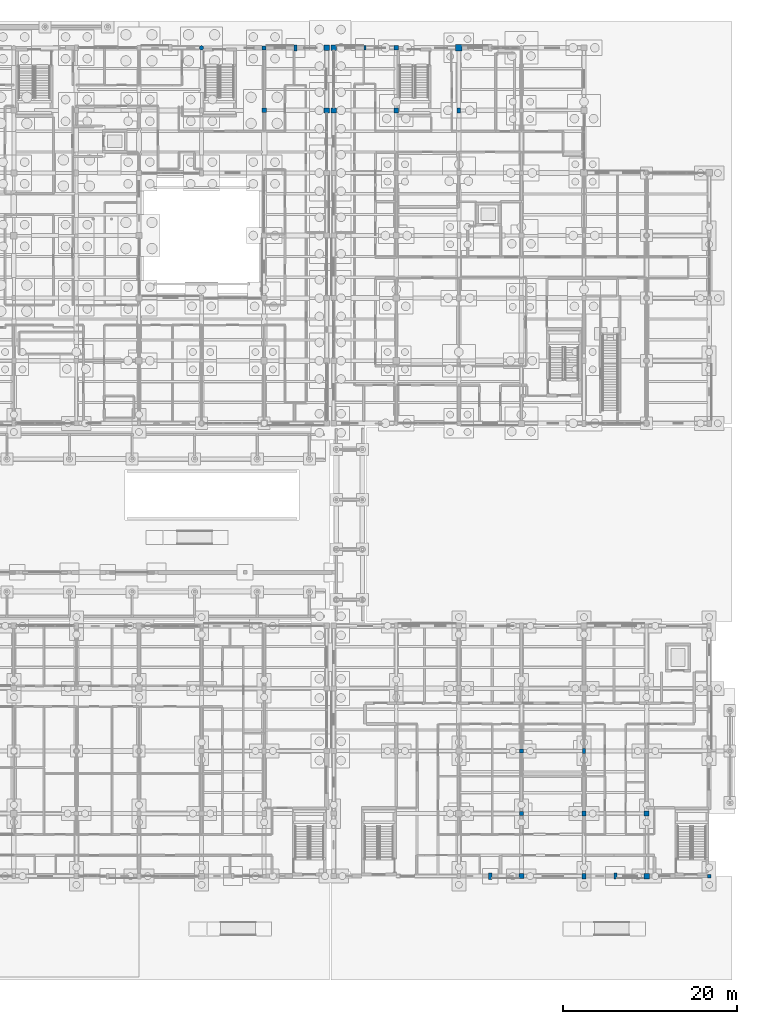
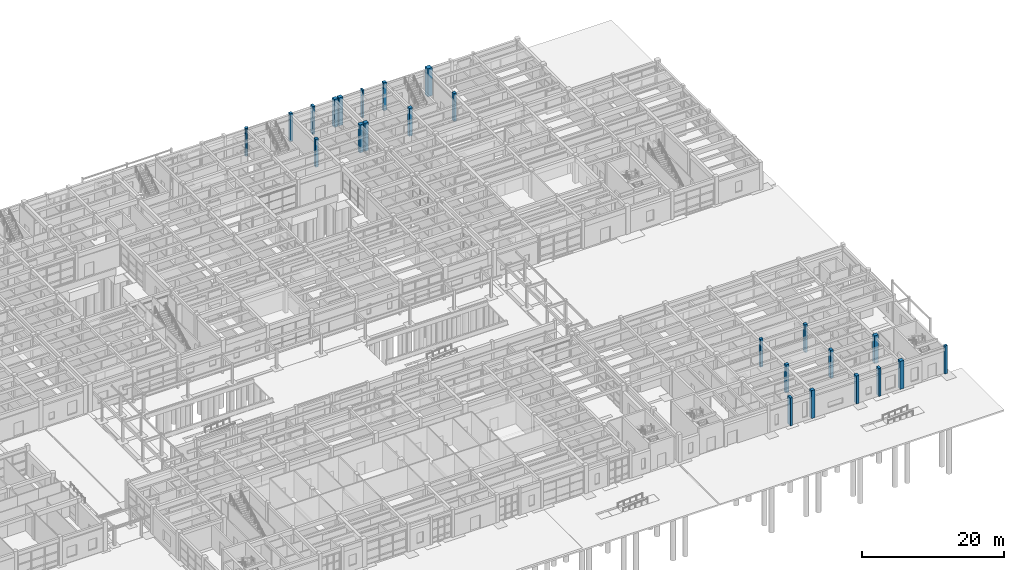
# One storey, part 28 of 143: 24 columns.
"""IFC4 building model written with IfcOpenShell, lengths in metres."""

from ifc_helpers import new_model, si_unit, direction, frame, origin, origin_2d, place, context, subcontext, project, spatial, rectangle, circle, extrude, material, material_profile, profile_set, type_object, element, save


model = new_model("IFC4")

# Units and contexts
model_context = context("Model", 3, precision=1e-05, world=origin(), true_north=direction((0.0, 1.0)))
body_context = subcontext(model_context, "Body", "Model", "MODEL_VIEW")
ifc_project = project(units=[si_unit("LENGTHUNIT", "METRE"), si_unit("AREAUNIT", "SQUARE_METRE"), si_unit("VOLUMEUNIT", "CUBIC_METRE"), si_unit("PLANEANGLEUNIT", "RADIAN"), si_unit("MASSUNIT", "GRAM", prefix="KILO")], contexts=[model_context])

# Site, building, storey
site_placement = place(None, origin())
site = spatial("IfcSite", under=ifc_project, at=site_placement, CompositionType="ELEMENT")
building_placement = place(site_placement, origin())
building = spatial("IfcBuilding", under=site, at=building_placement, Name="Steenspoor Specialist Clinic", CompositionType="ELEMENT")
storey_placement = place(building_placement, origin())
storey = spatial("IfcBuildingStorey", under=building, at=storey_placement, Name="L00", CompositionType="ELEMENT", Elevation=0.0)

# Columns
ifc_material = material(Name="Concrete C40/50", Category="concrete")
ifc_material_profile_1 = material_profile(ifc_material, rectangle(XDim=0.39990234375, YDim=0.39990234375, at=origin_2d()), Name="RC-COL-400X400")
ifc_profile_set_1 = profile_set([ifc_material_profile_1], Name="Concrete C40/50")
column_type_1 = type_object("IfcColumnType", Name="COL-RC-400", PredefinedType="COLUMN", material=ifc_profile_set_1)
column_1_placement = place(storey_placement, frame((161.199951171875, 13.050048828125, 0.0), z_axis=(0.0, 0.0, 1.0), x_axis=(1.0, 0.0, 0.0)))
element("IfcColumn", 1, at=column_1_placement, inside=storey, type_object=column_type_1, Name="Column COL-L00-0834", PredefinedType="COLUMN", context=body_context, shape_type="SweptSolid", body=[
    extrude(rectangle(XDim=0.39990234375, YDim=0.39990234375, at=origin_2d()), origin(), (0.0, 0.0, 1.0), 4.800048828125),
])
ifc_material_profile_2 = material_profile(ifc_material, rectangle(XDim=0.39990234375, YDim=0.550048828125, at=origin_2d()), Name="RC-COL-400X550")
ifc_profile_set_2 = profile_set([ifc_material_profile_2], Name="Concrete C40/50")
column_type_2 = type_object("IfcColumnType", Name="COL-RC-400X550", PredefinedType="COLUMN", material=ifc_profile_set_2)
for number, where, z_axis, x_axis, name in (
    (2, (146.800048828125, 27.449951171875, 0.0), (0.0, 0.0, 1.0), (1.0, 0.0, 0.0), "Column COL-L00-0138"),
    (3, (132.39990234375, 101.14990234375, 0.0), (0.0, 0.0, 1.0), (1.0, 0.0, 0.0), "Column COL-L00-0735"),
):
    element("IfcColumn", number, at=place(storey_placement, frame(where, z_axis=z_axis, x_axis=x_axis)), inside=storey, type_object=column_type_2, Name=name, PredefinedType="COLUMN", context=body_context, shape_type="SweptSolid", body=[
        extrude(rectangle(XDim=0.39990234375, YDim=0.550048828125, at=origin_2d()), origin(), (0.0, 0.0, 1.0), 4.800048828125),
    ])
ifc_material_profile_3 = material_profile(ifc_material, rectangle(XDim=0.449951171875, YDim=0.449951171875, at=origin_2d()), Name="RC-COL-450X450")
ifc_profile_set_3 = profile_set([ifc_material_profile_3], Name="Concrete C40/50")
column_type_3 = type_object("IfcColumnType", Name="COL-RC-450", PredefinedType="COLUMN", material=ifc_profile_set_3)
for number, where, z_axis, x_axis, name in (
    (4, (139.60009765625, 27.449951171875, 0.0), (0.0, 0.0, 1.0), (1.0, 0.0, 0.0), "Column COL-L00-0128"),
    (5, (110.0, 108.35009765625, 0.0), (0.0, 0.0, 1.0), (1.0, 0.0, 0.0), "Column COL-L00-0473"),
):
    element("IfcColumn", number, at=place(storey_placement, frame(where, z_axis=z_axis, x_axis=x_axis)), inside=storey, type_object=column_type_3, Name=name, PredefinedType="COLUMN", context=body_context, shape_type="SweptSolid", body=[
        extrude(rectangle(XDim=0.449951171875, YDim=0.449951171875, at=origin_2d()), origin(), (0.0, 0.0, 1.0), 4.800048828125),
    ])
ifc_material_profile_4 = material_profile(ifc_material, rectangle(XDim=0.449951171875, YDim=0.60009765625, at=origin_2d()), Name="RC-COL-450X600")
ifc_profile_set_4 = profile_set([ifc_material_profile_4], Name="Concrete C40/50")
column_type_4 = type_object("IfcColumnType", Name="COL-RC-450X600", PredefinedType="COLUMN", material=ifc_profile_set_4)
column_2_placement = place(storey_placement, frame((146.800048828125, 20.25, 0.0), z_axis=(0.0, 0.0, 1.0), x_axis=(1.0, 0.0, 0.0)))
element("IfcColumn", 6, at=column_2_placement, inside=storey, type_object=column_type_4, Name="Column COL-L00-0136", PredefinedType="COLUMN", context=body_context, shape_type="SweptSolid", body=[
    extrude(rectangle(XDim=0.449951171875, YDim=0.60009765625, at=origin_2d()), origin(), (0.0, 0.0, 1.0), 4.800048828125),
])
ifc_material_profile_5 = material_profile(ifc_material, rectangle(XDim=0.449951171875, YDim=0.64990234375, at=origin_2d()), Name="RC-COL-450X650")
ifc_profile_set_5 = profile_set([ifc_material_profile_5], Name="Concrete C40/50")
column_type_5 = type_object("IfcColumnType", Name="COL-RC-450X650", PredefinedType="COLUMN", material=ifc_profile_set_5)
column_3_placement = place(storey_placement, frame((146.800048828125, 13.050048828125, 0.0), z_axis=(0.0, 0.0, 1.0), x_axis=(1.0, 0.0, 0.0)))
element("IfcColumn", 7, at=column_3_placement, inside=storey, type_object=column_type_5, Name="Column COL-L00-0134", PredefinedType="COLUMN", context=body_context, shape_type="SweptSolid", body=[
    extrude(rectangle(XDim=0.449951171875, YDim=0.64990234375, at=origin_2d()), origin(), (0.0, 0.0, 1.0), 4.800048828125),
])
ifc_material_profile_6 = material_profile(ifc_material, rectangle(XDim=0.5, YDim=0.5, at=origin_2d()), Name="RC-COL-500X500")
ifc_profile_set_6 = profile_set([ifc_material_profile_6], Name="Concrete C40/50")
column_type_6 = type_object("IfcColumnType", Name="COL-RC-500", PredefinedType="COLUMN", material=ifc_profile_set_6)
for number, where, z_axis, x_axis, name in (
    (8, (139.60009765625, 20.25, 0.0), (0.0, 0.0, 1.0), (1.0, 0.0, 0.0), "Column COL-L00-0126"),
    (9, (110.0, 101.14990234375, 0.0), (0.0, 0.0, 1.0), (1.0, 0.0, 0.0), "Column COL-L00-0467"),
    (10, (125.199951171875, 108.35009765625, 0.0), (0.0, 0.0, 1.0), (1.0, 0.0, 0.0), "Column COL-L00-0706"),
):
    element("IfcColumn", number, at=place(storey_placement, frame(where, z_axis=z_axis, x_axis=x_axis)), inside=storey, type_object=column_type_6, Name=name, PredefinedType="COLUMN", context=body_context, shape_type="SweptSolid", body=[
        extrude(rectangle(XDim=0.5, YDim=0.5, at=origin_2d()), origin(), (0.0, 0.0, 1.0), 4.800048828125),
    ])
ifc_material_profile_7 = material_profile(ifc_material, rectangle(XDim=0.550048828125, YDim=0.550048828125, at=origin_2d()), Name="RC-COL-550X550")
ifc_profile_set_7 = profile_set([ifc_material_profile_7], Name="Concrete C40/50")
column_type_7 = type_object("IfcColumnType", Name="COL-RC-550", PredefinedType="COLUMN", material=ifc_profile_set_7)
for number, where, z_axis, x_axis, name in (
    (11, (139.60009765625, 13.050048828125, 0.0), (0.0, 0.0, 1.0), (1.0, 0.0, 0.0), "Column COL-L00-0124"),
    (12, (125.199951171875, 101.14990234375, 0.0), (0.0, 0.0, 1.0), (1.0, 0.0, 0.0), "Column COL-L00-0701"),
):
    element("IfcColumn", number, at=place(storey_placement, frame(where, z_axis=z_axis, x_axis=x_axis)), inside=storey, type_object=column_type_7, Name=name, PredefinedType="COLUMN", context=body_context, shape_type="SweptSolid", body=[
        extrude(rectangle(XDim=0.550048828125, YDim=0.550048828125, at=origin_2d()), origin(), (0.0, 0.0, 1.0), 4.800048828125),
    ])
ifc_material_profile_8 = material_profile(ifc_material, rectangle(XDim=0.60009765625, YDim=0.60009765625, at=origin_2d()), Name="RC-COL-600X600")
ifc_profile_set_8 = profile_set([ifc_material_profile_8], Name="Concrete C40/50")
column_type_8 = type_object("IfcColumnType", Name="COL-RC-600", PredefinedType="COLUMN", material=ifc_profile_set_8)
for number, where, z_axis, x_axis, name in (
    (13, (154.0, 20.25, 0.0), (0.0, 0.0, 1.0), (1.0, 0.0, 0.0), "Column COL-L00-0146"),
    (14, (117.199951171875, 101.14990234375, 0.0), (0.0, 0.0, 1.0), (1.0, 0.0, 0.0), "Column COL-L00-0498"),
    (15, (117.199951171875, 108.35009765625, 0.0), (0.0, 0.0, 1.0), (1.0, 0.0, 0.0), "Column COL-L00-0502"),
    (16, (118.0, 101.14990234375, 0.0), (0.0, 0.0, 1.0), (1.0, 0.0, 0.0), "Column COL-L00-0667"),
    (17, (118.0, 108.35009765625, 0.0), (0.0, 0.0, 1.0), (1.0, 0.0, 0.0), "Column COL-L00-0672"),
):
    element("IfcColumn", number, at=place(storey_placement, frame(where, z_axis=z_axis, x_axis=x_axis)), inside=storey, type_object=column_type_8, Name=name, PredefinedType="COLUMN", context=body_context, shape_type="SweptSolid", body=[
        extrude(rectangle(XDim=0.60009765625, YDim=0.60009765625, at=origin_2d()), origin(), (0.0, 0.0, 1.0), 4.800048828125),
    ])
ifc_material_profile_9 = material_profile(ifc_material, rectangle(XDim=0.64990234375, YDim=0.64990234375, at=origin_2d()), Name="RC-COL-650X650")
ifc_profile_set_9 = profile_set([ifc_material_profile_9], Name="Concrete C40/50")
column_type_9 = type_object("IfcColumnType", Name="COL-RC-650", PredefinedType="COLUMN", material=ifc_profile_set_9)
column_4_placement = place(storey_placement, frame((154.0, 13.050048828125, 0.0), z_axis=(0.0, 0.0, 1.0), x_axis=(1.0, 0.0, 0.0)))
element("IfcColumn", 18, at=column_4_placement, inside=storey, type_object=column_type_9, Name="Column COL-L00-0144", PredefinedType="COLUMN", context=body_context, shape_type="SweptSolid", body=[
    extrude(rectangle(XDim=0.64990234375, YDim=0.64990234375, at=origin_2d()), origin(), (0.0, 0.0, 1.0), 4.800048828125),
])
ifc_material_profile_10 = material_profile(ifc_material, rectangle(XDim=0.75, YDim=0.75, at=origin_2d()), Name="RC-COL-750X750")
ifc_profile_set_10 = profile_set([ifc_material_profile_10], Name="Concrete C40/50")
column_type_10 = type_object("IfcColumnType", Name="COL-RC-750", PredefinedType="COLUMN", material=ifc_profile_set_10)
column_5_placement = place(storey_placement, frame((132.39990234375, 108.35009765625, 0.0), z_axis=(0.0, 0.0, 1.0), x_axis=(1.0, 0.0, 0.0)))
element("IfcColumn", 19, at=column_5_placement, inside=storey, type_object=column_type_10, Name="Column COL-L00-0740", PredefinedType="COLUMN", context=body_context, shape_type="SweptSolid", body=[
    extrude(rectangle(XDim=0.75, YDim=0.75, at=origin_2d()), origin(), (0.0, 0.0, 1.0), 4.800048828125),
])
ifc_material_profile_11 = material_profile(ifc_material, circle(Radius=0.25, at=origin_2d()), Name="RC-COL-D500")
ifc_profile_set_11 = profile_set([ifc_material_profile_11], Name="Concrete C40/50")
column_type_11 = type_object("IfcColumnType", Name="COL-RC-D500", PredefinedType="COLUMN", material=ifc_profile_set_11)
column_6_placement = place(storey_placement, frame((102.800048828125, 108.35009765625, 0.0), z_axis=(0.0, 0.0, 1.0), x_axis=(1.0, 0.0, 0.0)))
element("IfcColumn", 20, at=column_6_placement, inside=storey, type_object=column_type_11, Name="Column COL-L00-0440", PredefinedType="COLUMN", context=body_context, shape_type="SweptSolid", body=[
    extrude(circle(Radius=0.25, at=origin_2d()), origin(), (0.0, 0.0, 1.0), 4.800048828125),
])
ifc_material_profile_12 = material_profile(ifc_material, rectangle(XDim=0.280029296875, YDim=0.56005859375, at=origin_2d()), Name="RC-PIL-280X560")
ifc_profile_set_12 = profile_set([ifc_material_profile_12], Name="Concrete C40/50")
column_type_12 = type_object("IfcColumnType", Name="PIL-RC-280X560", PredefinedType="PILASTER", material=ifc_profile_set_12)
column_7_placement = place(storey_placement, frame((121.60009765625, 108.35009765625, 0.0), z_axis=(0.0, 0.0, 1.0), x_axis=(1.0, 0.0, 0.0)))
element("IfcColumn", 21, at=column_7_placement, inside=storey, type_object=column_type_12, Name="Brick Pilaster PIL-L00-037", PredefinedType="PILASTER", context=body_context, shape_type="SweptSolid", body=[
    extrude(rectangle(XDim=0.280029296875, YDim=0.56005859375, at=origin_2d()), origin(), (0.0, 0.0, 1.0), 4.800048828125),
])
ifc_material_profile_13 = material_profile(ifc_material, rectangle(XDim=0.340087890625, YDim=0.679931640625, at=origin_2d()), Name="RC-PIL-340X680")
ifc_profile_set_13 = profile_set([ifc_material_profile_13], Name="Concrete C40/50")
column_type_13 = type_object("IfcColumnType", Name="PIL-RC-340X680", PredefinedType="PILASTER", material=ifc_profile_set_13)
for number, where, z_axis, x_axis, name in (
    (22, (150.39990234375, 13.050048828125, 0.0), (0.0, 0.0, 1.0), (1.0, 0.0, 0.0), "Brick Pilaster PIL-L00-011"),
    (23, (113.60009765625, 108.35009765625, 0.0), (0.0, 0.0, 1.0), (1.0, 0.0, 0.0), "Brick Pilaster PIL-L00-029"),
):
    element("IfcColumn", number, at=place(storey_placement, frame(where, z_axis=z_axis, x_axis=x_axis)), inside=storey, type_object=column_type_13, Name=name, PredefinedType="PILASTER", context=body_context, shape_type="SweptSolid", body=[
        extrude(rectangle(XDim=0.340087890625, YDim=0.679931640625, at=origin_2d()), origin(), (0.0, 0.0, 1.0), 4.800048828125),
    ])
ifc_material_profile_14 = material_profile(ifc_material, rectangle(XDim=0.3798828125, YDim=0.760009765625, at=origin_2d()), Name="RC-PIL-380X760")
ifc_profile_set_14 = profile_set([ifc_material_profile_14], Name="Concrete C40/50")
column_type_14 = type_object("IfcColumnType", Name="PIL-RC-380X760", PredefinedType="PILASTER", material=ifc_profile_set_14)
column_8_placement = place(storey_placement, frame((136.0, 13.050048828125, 0.0), z_axis=(0.0, 0.0, 1.0), x_axis=(1.0, 0.0, 0.0)))
element("IfcColumn", 24, at=column_8_placement, inside=storey, type_object=column_type_14, Name="Brick Pilaster PIL-L00-009", PredefinedType="PILASTER", context=body_context, shape_type="SweptSolid", body=[
    extrude(rectangle(XDim=0.3798828125, YDim=0.760009765625, at=origin_2d()), origin(), (0.0, 0.0, 1.0), 4.800048828125),
])

save(model, "model.ifc")
